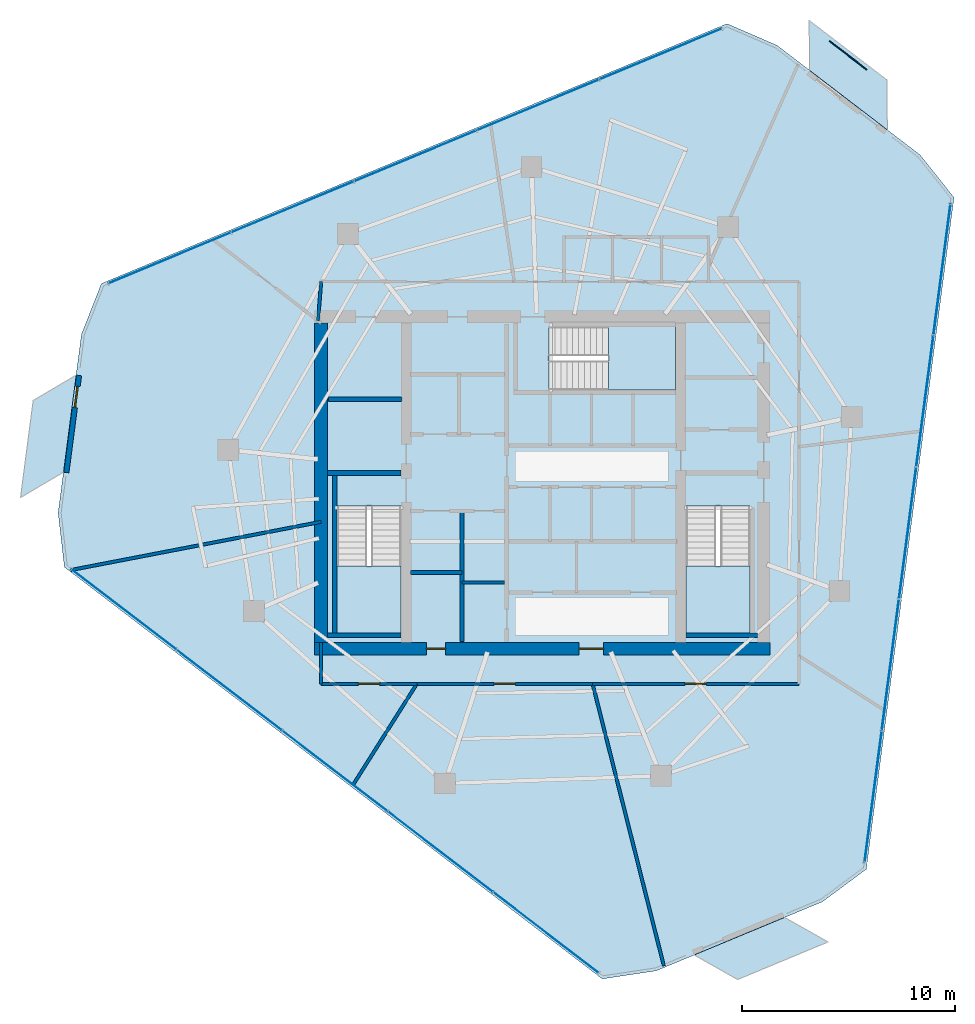
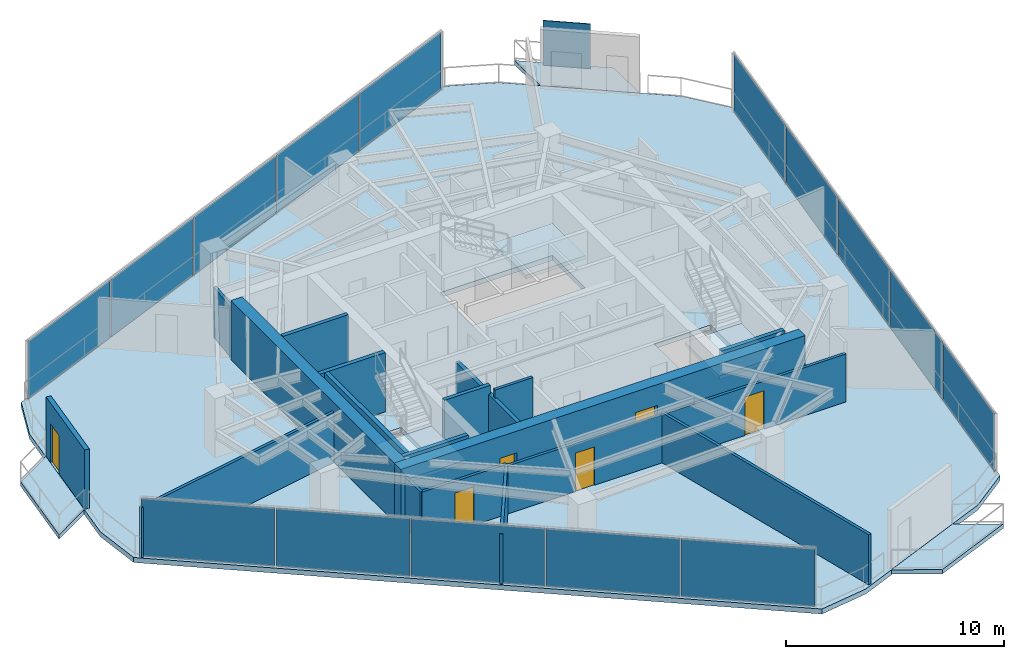
# One storey, part 15 of 20: 19 walls, 16 plates, 7 slabs, 6 doors, 6 openings, 6 elements without a shape of their own.
"""IFC4 building model written with IfcOpenShell, lengths in metres."""

from ifc_helpers import new_model, si_unit, direction, frame, frame_2d, origin, origin_2d, place, context, subcontext, project, spatial, polyline, rectangle, outline, extrude, material, layer, layer_set, type_object, element, fill, aggregate, save


model = new_model("IFC4")

# Units and contexts
model_context = context("Model", 3, precision=1e-05, world=origin(), true_north=direction((0.0, 1.0)))
body_context = subcontext(model_context, "Body", "Model", "MODEL_VIEW")
ifc_project = project(units=[si_unit("LENGTHUNIT", "METRE"), si_unit("AREAUNIT", "SQUARE_METRE"), si_unit("VOLUMEUNIT", "CUBIC_METRE"), si_unit("PLANEANGLEUNIT", "RADIAN"), si_unit("MASSUNIT", "GRAM", prefix="KILO")], contexts=[model_context])

# Site, building, storey
site_placement = place(None, origin())
site = spatial("IfcSite", under=ifc_project, at=site_placement, CompositionType="ELEMENT")
building_placement = place(site_placement, origin())
building = spatial("IfcBuilding", under=site, at=building_placement, Name="Qarnah Convention Tower", CompositionType="ELEMENT")
storey_placement = place(building_placement, frame((0.0, 0.0, 150.89990234375)))
storey = spatial("IfcBuildingStorey", under=building, at=storey_placement, Name="L40", CompositionType="ELEMENT", Elevation=150.89990234375)

# Curtain wall, plates
ifc_material_1 = material(Name="Tempered Low-E dark glass", Category="glass")
ifc_layer_1 = layer(ifc_material_1, 0.172119140625)
ifc_layer_set_1 = layer_set([ifc_layer_1], Name="Tempered Low-E dark glass")
curtain_wall_type = type_object("IfcCurtainWallType", Name="CWS-03", PredefinedType="NOTDEFINED", material=ifc_layer_set_1)
curtain_wall_1_placement = place(storey_placement, origin())
curtain_wall_1 = element("IfcCurtainWall", 1, at=curtain_wall_1_placement, inside=storey, type_object=curtain_wall_type, Name="L40 unitised curtain wall CW-L40-F1", PredefinedType="NOTDEFINED")
ifc_layer_2 = layer(ifc_material_1, 0.031982421875)
ifc_layer_set_2 = layer_set([ifc_layer_2], Name="Tempered Low-E dark glass")
plate_type_1 = type_object("IfcPlateType", Name="PNL-T3", PredefinedType="CURTAIN_PANEL", material=ifc_layer_set_2)
plate_1_placement = place(storey_placement, frame((19.68359375, 36.9619140625, 0.0400390625), z_axis=(0.0, 0.0, 1.0), x_axis=(0.923479084372, 0.383648772613, 0.0)))
plate_1 = element("IfcPlate", 2, at=plate_1_placement, type_object=plate_type_1, Name="CW-L40-F1 curtain panel 1.1", PredefinedType="CURTAIN_PANEL", context=body_context, shape_type="SweptSolid", body=[
    extrude(rectangle(XDim=6.165283203125, YDim=0.031982421875, at=origin_2d()), origin(), (0.0, 0.0, 1.0), 3.239990234375),
])
plate_2_placement = place(storey_placement, frame((25.451171875, 39.35791015625, 0.0400390625), z_axis=(0.0, 0.0, 1.0), x_axis=(0.923479084372, 0.383648772613, 0.0)))
plate_2 = element("IfcPlate", 3, at=plate_2_placement, type_object=plate_type_1, Name="CW-L40-F1 curtain panel 2.1", PredefinedType="CURTAIN_PANEL", context=body_context, shape_type="SweptSolid", body=[
    extrude(rectangle(XDim=6.165283203125, YDim=0.031982421875, at=origin_2d()), origin(), (0.0, 0.0, 1.0), 3.239990234375),
])
plate_3_placement = place(storey_placement, frame((31.218505859375, 41.75390625, 0.0400390625), z_axis=(0.0, 0.0, 1.0), x_axis=(0.923479084372, 0.383648772613, 0.0)))
plate_3 = element("IfcPlate", 4, at=plate_3_placement, type_object=plate_type_1, Name="CW-L40-F1 curtain panel 3.1", PredefinedType="CURTAIN_PANEL", context=body_context, shape_type="SweptSolid", body=[
    extrude(rectangle(XDim=6.165283203125, YDim=0.031982421875, at=origin_2d()), origin(), (0.0, 0.0, 1.0), 3.239990234375),
])
plate_4_placement = place(storey_placement, frame((36.98583984375, 44.14990234375, 0.0400390625), z_axis=(0.0, 0.0, 1.0), x_axis=(0.923479084372, 0.383648772613, 0.0)))
plate_4 = element("IfcPlate", 5, at=plate_4_placement, type_object=plate_type_1, Name="CW-L40-F1 curtain panel 4.1", PredefinedType="CURTAIN_PANEL", context=body_context, shape_type="SweptSolid", body=[
    extrude(rectangle(XDim=6.165283203125, YDim=0.031982421875, at=origin_2d()), origin(), (0.0, 0.0, 1.0), 3.239990234375),
])
plate_5_placement = place(storey_placement, frame((42.75341796875, 46.5458984375, 0.0400390625), z_axis=(0.0, 0.0, 1.0), x_axis=(0.923479084372, 0.383648772613, 0.0)))
plate_5 = element("IfcPlate", 6, at=plate_5_placement, type_object=plate_type_1, Name="CW-L40-F1 curtain panel 5.1", PredefinedType="CURTAIN_PANEL", context=body_context, shape_type="SweptSolid", body=[
    extrude(rectangle(XDim=6.165283203125, YDim=0.031982421875, at=origin_2d()), origin(), (0.0, 0.0, 1.0), 3.239990234375),
])
aggregate(curtain_wall_1, [plate_1, plate_2, plate_3, plate_4, plate_5])

curtain_wall_2_placement = place(storey_placement, origin())
curtain_wall_2 = element("IfcCurtainWall", 7, at=curtain_wall_2_placement, inside=storey, type_object=curtain_wall_type, Name="L40 unitised curtain wall CW-L40-F2", PredefinedType="NOTDEFINED")
plate_6_placement = place(storey_placement, frame((55.9716796875, 36.4248046875, 0.0400390625), z_axis=(0.0, 0.0, 1.0), x_axis=(-0.129476096574, -0.99158254342, 0.0)))
plate_6 = element("IfcPlate", 8, at=plate_6_placement, type_object=plate_type_1, Name="CW-L40-F2 curtain panel 1.1", PredefinedType="CURTAIN_PANEL", context=body_context, shape_type="SweptSolid", body=[
    extrude(rectangle(XDim=6.165283203125, YDim=0.031982421875, at=origin_2d()), origin(), (0.0, 0.0, 1.0), 3.239990234375),
])
plate_7_placement = place(storey_placement, frame((55.1630859375, 30.232177734375, 0.0400390625), z_axis=(0.0, 0.0, 1.0), x_axis=(-0.129476096574, -0.99158254342, 0.0)))
plate_7 = element("IfcPlate", 9, at=plate_7_placement, type_object=plate_type_1, Name="CW-L40-F2 curtain panel 2.1", PredefinedType="CURTAIN_PANEL", context=body_context, shape_type="SweptSolid", body=[
    extrude(rectangle(XDim=6.165283203125, YDim=0.031982421875, at=origin_2d()), origin(), (0.0, 0.0, 1.0), 3.239990234375),
])
plate_8_placement = place(storey_placement, frame((54.3544921875, 24.03955078125, 0.0400390625), z_axis=(0.0, 0.0, 1.0), x_axis=(-0.129476096574, -0.99158254342, 0.0)))
plate_8 = element("IfcPlate", 10, at=plate_8_placement, type_object=plate_type_1, Name="CW-L40-F2 curtain panel 3.1", PredefinedType="CURTAIN_PANEL", context=body_context, shape_type="SweptSolid", body=[
    extrude(rectangle(XDim=6.165283203125, YDim=0.031982421875, at=origin_2d()), origin(), (0.0, 0.0, 1.0), 3.239990234375),
])
plate_9_placement = place(storey_placement, frame((53.5458984375, 17.846923828125, 0.0400390625), z_axis=(0.0, 0.0, 1.0), x_axis=(-0.129476096574, -0.99158254342, 0.0)))
plate_9 = element("IfcPlate", 11, at=plate_9_placement, type_object=plate_type_1, Name="CW-L40-F2 curtain panel 4.1", PredefinedType="CURTAIN_PANEL", context=body_context, shape_type="SweptSolid", body=[
    extrude(rectangle(XDim=6.165283203125, YDim=0.031982421875, at=origin_2d()), origin(), (0.0, 0.0, 1.0), 3.239990234375),
])
plate_10_placement = place(storey_placement, frame((52.7373046875, 11.654296875, 0.0400390625), z_axis=(0.0, 0.0, 1.0), x_axis=(-0.129476096574, -0.99158254342, 0.0)))
plate_10 = element("IfcPlate", 12, at=plate_10_placement, type_object=plate_type_1, Name="CW-L40-F2 curtain panel 5.1", PredefinedType="CURTAIN_PANEL", context=body_context, shape_type="SweptSolid", body=[
    extrude(rectangle(XDim=6.165283203125, YDim=0.031982421875, at=origin_2d()), origin(), (0.0, 0.0, 1.0), 3.239990234375),
])
aggregate(curtain_wall_2, [plate_6, plate_7, plate_8, plate_9, plate_10])

curtain_wall_3_placement = place(storey_placement, origin())
curtain_wall_3 = element("IfcCurtainWall", 13, at=curtain_wall_3_placement, inside=storey, type_object=curtain_wall_type, Name="L40 unitised curtain wall CW-L40-F3", PredefinedType="NOTDEFINED")
plate_11_placement = place(storey_placement, frame((37.36279296875, 5.267333984375, 0.0400390625), z_axis=(0.0, 0.0, 1.0), x_axis=(-0.793992266072, 0.607927858728, 0.0)))
plate_11 = element("IfcPlate", 14, at=plate_11_placement, type_object=plate_type_1, Name="CW-L40-F3 curtain panel 1.1", PredefinedType="CURTAIN_PANEL", context=body_context, shape_type="SweptSolid", body=[
    extrude(rectangle(XDim=6.1650390625, YDim=0.031982421875, at=origin_2d()), origin(), (0.0, 0.0, 1.0), 3.239990234375),
])
plate_12_placement = place(storey_placement, frame((32.404052734375, 9.06396484375, 0.0400390625), z_axis=(0.0, 0.0, 1.0), x_axis=(-0.793992266072, 0.607927858728, 0.0)))
plate_12 = element("IfcPlate", 15, at=plate_12_placement, type_object=plate_type_1, Name="CW-L40-F3 curtain panel 2.1", PredefinedType="CURTAIN_PANEL", context=body_context, shape_type="SweptSolid", body=[
    extrude(rectangle(XDim=6.1650390625, YDim=0.031982421875, at=origin_2d()), origin(), (0.0, 0.0, 1.0), 3.239990234375),
])
plate_13_placement = place(storey_placement, frame((27.445556640625, 12.860595703125, 0.0400390625), z_axis=(0.0, 0.0, 1.0), x_axis=(-0.793992266072, 0.607927858728, 0.0)))
plate_13 = element("IfcPlate", 16, at=plate_13_placement, type_object=plate_type_1, Name="CW-L40-F3 curtain panel 3.1", PredefinedType="CURTAIN_PANEL", context=body_context, shape_type="SweptSolid", body=[
    extrude(rectangle(XDim=6.1650390625, YDim=0.031982421875, at=origin_2d()), origin(), (0.0, 0.0, 1.0), 3.239990234375),
])
plate_14_placement = place(storey_placement, frame((22.48681640625, 16.656982421875, 0.0400390625), z_axis=(0.0, 0.0, 1.0), x_axis=(-0.793992266072, 0.607927858728, 0.0)))
plate_14 = element("IfcPlate", 17, at=plate_14_placement, type_object=plate_type_1, Name="CW-L40-F3 curtain panel 4.1", PredefinedType="CURTAIN_PANEL", context=body_context, shape_type="SweptSolid", body=[
    extrude(rectangle(XDim=6.1650390625, YDim=0.031982421875, at=origin_2d()), origin(), (0.0, 0.0, 1.0), 3.239990234375),
])
plate_15_placement = place(storey_placement, frame((17.5283203125, 20.45361328125, 0.0400390625), z_axis=(0.0, 0.0, 1.0), x_axis=(-0.793992266072, 0.607927858728, 0.0)))
plate_15 = element("IfcPlate", 18, at=plate_15_placement, type_object=plate_type_1, Name="CW-L40-F3 curtain panel 5.1", PredefinedType="CURTAIN_PANEL", context=body_context, shape_type="SweptSolid", body=[
    extrude(rectangle(XDim=6.1650390625, YDim=0.031982421875, at=origin_2d()), origin(), (0.0, 0.0, 1.0), 3.239990234375),
])
aggregate(curtain_wall_3, [plate_11, plate_12, plate_13, plate_14, plate_15])

# Plate
ifc_material_2 = material(Name="Black anodised aluminium", Category="aluminium")
ifc_layer_3 = layer(ifc_material_2, 0.044921875)
ifc_layer_set_3 = layer_set([ifc_layer_3], Name="Black anodised aluminium")
plate_type_2 = type_object("IfcPlateType", Name="SCR-BAL-18", PredefinedType="USERDEFINED", material=ifc_layer_set_3)
plate_16_placement = place(storey_placement, frame((51.554931640625, 46.48291015625, 0.0), z_axis=(0.0, 0.0, 1.0), x_axis=(0.794092247201, -0.607797254794, 0.0)))
element("IfcPlate", 19, at=plate_16_placement, inside=storey, type_object=plate_type_2, Name="L40 perforated desert solar screen BAL-L40-C1", ObjectType="SCREEN", PredefinedType="USERDEFINED", context=body_context, shape_type="SweptSolid", body=[
    extrude(rectangle(XDim=2.199951171875, YDim=0.044921875, at=origin_2d()), origin(), (0.0, 0.0, 1.0), 2.5),
])

# Slabs
ifc_material_3 = material(Name="Concrete C45/55", Category="concrete")
ifc_layer_4 = layer(ifc_material_3, 0.239990234375)
ifc_layer_set_4 = layer_set([ifc_layer_4], Name="Concrete C45/55")
slab_type_1 = type_object("IfcSlabType", Name="SLB-BAL-240", PredefinedType="USERDEFINED", material=ifc_layer_set_4)
slab_1_placement = place(storey_placement, frame((0.0, 0.0, -0.239990234375)))
element("IfcSlab", 20, at=slab_1_placement, inside=storey, type_object=slab_type_1, Name="L40 cantilevered balcony slab BAL-L40-C1", ObjectType="BALCONY", PredefinedType="USERDEFINED", context=body_context, shape_type="SweptSolid", body=[
    extrude(outline(polyline([(49.72607421875, 48.12109375), (53.37890625, 45.324951171875), (53.402099609375, 42.97900390625), (49.7490234375, 45.77587890625), (49.72607421875, 48.12109375)])), origin(), (0.0, 0.0, 1.0), 0.239990234375),
])
slab_2_placement = place(storey_placement, frame((0.0, 0.0, -0.239990234375)))
element("IfcSlab", 21, at=slab_2_placement, inside=storey, type_object=slab_type_1, Name="L40 cantilevered balcony slab BAL-L40-C2", ObjectType="BALCONY", PredefinedType="USERDEFINED", context=body_context, shape_type="SweptSolid", body=[
    extrude(outline(polyline([(12.677001953125, 25.705078125), (13.27294921875, 30.26611328125), (15.29296875, 31.458984375), (14.697998046875, 26.89892578125), (12.677001953125, 25.705078125)])), origin(), (0.0, 0.0, 1.0), 0.239990234375),
])
slab_3_placement = place(storey_placement, frame((0.0, 0.0, -0.239990234375)))
element("IfcSlab", 22, at=slab_3_placement, inside=storey, type_object=slab_type_1, Name="L40 cantilevered balcony slab BAL-L40-C3", ObjectType="BALCONY", PredefinedType="USERDEFINED", context=body_context, shape_type="SweptSolid", body=[
    extrude(outline(polyline([(50.614990234375, 4.827880859375), (46.366943359375, 3.06298828125), (44.323974609375, 4.216064453125), (48.572998046875, 5.98095703125), (50.614990234375, 4.827880859375)])), origin(), (0.0, 0.0, 1.0), 0.239990234375),
])

# Stair, slab
ifc_material_4 = material(Name="Concrete C50/60", Category="concrete")
stair_type = type_object("IfcStairType", Name="STR-OFF", PredefinedType="HALF_TURN_STAIR", material=ifc_material_4)
stair_1_placement = place(storey_placement, origin())
stair_1 = element("IfcStair", 23, at=stair_1_placement, inside=storey, type_object=stair_type, Name="L40 Core exit stair ST-1", PredefinedType="HALF_TURN_STAIR")
ifc_layer_5 = layer(ifc_material_4, 0.199951171875)
ifc_layer_set_5 = layer_set([ifc_layer_5], Name="Concrete C50/60")
slab_type_2 = type_object("IfcSlabType", Name="SLB-LANDING-200", PredefinedType="LANDING", material=ifc_layer_set_5)
slab_4_placement = place(storey_placement, frame((0.0, 0.0, 1.60009765625)))
slab_4 = element("IfcSlab", 24, at=slab_4_placement, type_object=slab_type_2, Name="ST-1 landing 1", PredefinedType="LANDING", context=body_context, shape_type="SweptSolid", body=[
    extrude(outline(polyline([(27.550048828125, 22.5), (27.550048828125, 19.35009765625), (30.550048828125, 19.35009765625), (30.550048828125, 22.5), (27.550048828125, 22.5)])), origin(), (0.0, 0.0, 1.0), 0.199951171875),
])
aggregate(stair_1, [slab_4])

stair_2_placement = place(storey_placement, origin())
stair_2 = element("IfcStair", 25, at=stair_2_placement, inside=storey, type_object=stair_type, Name="L40 Core exit stair ST-2", PredefinedType="HALF_TURN_STAIR")
slab_5_placement = place(storey_placement, frame((0.0, 0.0, 1.60009765625)))
slab_5 = element("IfcSlab", 26, at=slab_5_placement, type_object=slab_type_2, Name="ST-2 landing 1", PredefinedType="LANDING", context=body_context, shape_type="SweptSolid", body=[
    extrude(outline(polyline([(43.949951171875, 22.5), (43.949951171875, 19.35009765625), (46.949951171875, 19.35009765625), (46.949951171875, 22.5), (43.949951171875, 22.5)])), origin(), (0.0, 0.0, 1.0), 0.199951171875),
])
aggregate(stair_2, [slab_5])

stair_3_placement = place(storey_placement, origin())
stair_3 = element("IfcStair", 27, at=stair_3_placement, inside=storey, type_object=stair_type, Name="L40 Core exit stair ST-3", PredefinedType="HALF_TURN_STAIR")
slab_6_placement = place(storey_placement, frame((0.0, 0.0, 1.60009765625)))
slab_6 = element("IfcSlab", 28, at=slab_6_placement, type_object=slab_type_2, Name="ST-3 landing 1", PredefinedType="LANDING", context=body_context, shape_type="SweptSolid", body=[
    extrude(outline(polyline([(40.300048828125, 30.75), (43.449951171875, 30.75), (43.449951171875, 33.75), (40.300048828125, 33.75), (40.300048828125, 30.75)])), origin(), (0.0, 0.0, 1.0), 0.199951171875),
])
aggregate(stair_3, [slab_6])

# Slab
ifc_layer_6 = layer(ifc_material_3, 0.280029296875)
ifc_layer_set_6 = layer_set([ifc_layer_6], Name="Concrete C45/55")
slab_type_3 = type_object("IfcSlabType", Name="SLB-TWR-280", PredefinedType="FLOOR", material=ifc_layer_set_6)
slab_7_placement = place(storey_placement, frame((0.0, 0.0, -0.27978515625)))
element("IfcSlab", 29, at=slab_7_placement, inside=storey, type_object=slab_type_3, Name="L40 structural floor slab", PredefinedType="FLOOR", context=body_context, shape_type="SweptSolid", body=[
    extrude(outline(polyline([(45.867919921875, 47.969970703125), (16.47705078125, 35.760009765625), (15.5390625, 33.37109375), (14.445068359375, 24.989013671875), (14.738037109375, 22.43896484375), (40.007080078125, 3.091064453125), (42.544921875, 3.472900390625), (50.35205078125, 6.716064453125), (52.4130859375, 8.2451171875), (56.533935546875, 39.802978515625), (54.93505859375, 41.81005859375), (48.222900390625, 46.948974609375), (45.867919921875, 47.969970703125)]), holes=[polyline([(27.550048828125, 25.300048828125), (27.550048828125, 19.35009765625), (30.550048828125, 19.35009765625), (30.550048828125, 25.300048828125), (27.550048828125, 25.300048828125)]), polyline([(43.949951171875, 25.300048828125), (43.949951171875, 19.35009765625), (46.949951171875, 19.35009765625), (46.949951171875, 25.300048828125), (43.949951171875, 25.300048828125)]), polyline([(37.5, 30.75), (43.449951171875, 30.75), (43.449951171875, 33.75), (37.5, 33.75), (37.5, 30.75)])]), origin(), (0.0, 0.0, 1.0), 0.27978515625),
])

# Wall, openings, doors
ifc_material_5 = material(Name="Concrete C60/75", Category="concrete")
ifc_layer_7 = layer(ifc_material_5, 0.60009765625)
ifc_layer_set_7 = layer_set([ifc_layer_7], Name="Concrete C60/75")
wall_type_1 = type_object("IfcWallType", Name="WL-CORE-600", PredefinedType="SHEAR", material=ifc_layer_set_7)
wall_1_placement = place(storey_placement, frame((26.5, 18.60009765625, 0.0), z_axis=(0.0, 0.0, 1.0), x_axis=(1.0, 0.0, 0.0)))
wall_1 = element("IfcWall", 30, at=wall_1_placement, inside=storey, type_object=wall_type_1, Name="L40 core south shear wall", PredefinedType="SHEAR", context=body_context, shape_type="SweptSolid", body=[
    extrude(rectangle(XDim=21.39990234375, YDim=0.60009765625, at=frame_2d((10.699951171875, 0.0))), origin(), (0.0, 0.0, 1.0), 3.320068359375),
])
opening_1_placement = place(wall_1_placement, frame((12.425048828125, 0.0, 0.0)))
opening_1 = element("IfcOpeningElement", 31, at=opening_1_placement, cuts=wall_1, Name="Opening D-4007", PredefinedType="OPENING", context=body_context, shape_type="SweptSolid", body=[
    extrude(rectangle(XDim=1.14990234375, YDim=2.14990234375, at=frame_2d((0.574951171875, 1.074951171875))), frame((0.0, 0.31005859375, 0.0), z_axis=(0.0, -1.0, 0.0), x_axis=(1.0, 0.0, 0.0)), (0.0, 0.0, 1.0), 0.6201171875),
])
opening_2_placement = place(wall_1_placement, frame((5.25, 0.0, 0.0)))
opening_2 = element("IfcOpeningElement", 32, at=opening_2_placement, cuts=wall_1, Name="Opening D-4013", PredefinedType="OPENING", context=body_context, shape_type="SweptSolid", body=[
    extrude(rectangle(XDim=0.89990234375, YDim=2.10009765625, at=frame_2d((0.449951171875, 1.050048828125))), frame((0.0, 0.31005859375, 0.0), z_axis=(0.0, -1.0, 0.0), x_axis=(1.0, 0.0, 0.0)), (0.0, 0.0, 1.0), 0.6201171875),
])
ifc_material_6 = material(Name="Structural steel S355JR", Category="steel")
door_type_1 = type_object("IfcDoorType", Name="DT-LOBBY-1150", OperationType="NOTDEFINED", PredefinedType="DOOR", material=ifc_material_6)
door_1_placement = place(opening_1_placement, origin())
door_1 = element("IfcDoor", 33, at=door_1_placement, inside=storey, type_object=door_type_1, Name="Door D-4007", OperationType="SINGLE_SWING_RIGHT", OverallHeight=2.14990234375, OverallWidth=1.14990234375, PredefinedType="DOOR", context=body_context, shape_type="SweptSolid", body=[
    extrude(rectangle(XDim=1.14990234375, YDim=2.14990234375, at=frame_2d((0.574951171875, 1.074951171875))), frame((0.0, 0.02490234375, 0.0), z_axis=(0.0, -1.0, 0.0), x_axis=(1.0, 0.0, 0.0)), (0.0, 0.0, 1.0), 0.050048828125),
])
fill(opening_1, door_1)
door_type_2 = type_object("IfcDoorType", Name="DT-RISER-900", OperationType="NOTDEFINED", PredefinedType="DOOR", material=ifc_material_6)
door_2_placement = place(opening_2_placement, origin())
door_2 = element("IfcDoor", 34, at=door_2_placement, inside=storey, type_object=door_type_2, Name="Door D-4013", OperationType="SINGLE_SWING_RIGHT", OverallHeight=2.10009765625, OverallWidth=0.89990234375, PredefinedType="DOOR", context=body_context, shape_type="SweptSolid", body=[
    extrude(rectangle(XDim=0.89990234375, YDim=2.10009765625, at=frame_2d((0.449951171875, 1.050048828125))), frame((0.0, 0.02490234375, 0.0), z_axis=(0.0, -1.0, 0.0), x_axis=(1.0, 0.0, 0.0)), (0.0, 0.0, 1.0), 0.050048828125),
])
fill(opening_2, door_2)

# Walls
wall_2_placement = place(storey_placement, frame((26.800048828125, 18.89990234375, 0.0), z_axis=(0.0, 0.0, 1.0), x_axis=(0.0, 1.0, 0.0)))
element("IfcWall", 35, at=wall_2_placement, inside=storey, type_object=wall_type_1, Name="L40 core west shear wall", PredefinedType="SHEAR", context=body_context, shape_type="SweptSolid", body=[
    extrude(rectangle(XDim=15.0, YDim=0.60009765625, at=frame_2d((7.5, 0.0))), origin(), (0.0, 0.0, 1.0), 3.320068359375),
])
ifc_layer_8 = layer(ifc_material_3, 0.199951171875)
ifc_layer_set_8 = layer_set([ifc_layer_8], Name="Concrete C45/55")
wall_type_2 = type_object("IfcWallType", Name="WL-CORE-PART-200", PredefinedType="SOLIDWALL", material=ifc_layer_set_8)
wall_3_placement = place(storey_placement, frame((27.14990234375, 30.320068359375, 0.0), z_axis=(0.0, 0.0, 1.0), x_axis=(1.0, 0.0, 0.0)))
element("IfcWall", 36, at=wall_3_placement, inside=storey, type_object=wall_type_2, Name="L40 interior wall IW-L40-ELRN", PredefinedType="SOLIDWALL", context=body_context, shape_type="SweptSolid", body=[
    extrude(rectangle(XDim=3.4501953125, YDim=0.199951171875, at=frame_2d((1.72509765625, 0.0))), origin(), (0.0, 0.0, 1.0), 3.320068359375),
])
wall_4_placement = place(storey_placement, frame((33.419921875, 18.949951171875, 0.0), z_axis=(0.0, 0.0, 1.0), x_axis=(0.0, 1.0, 0.0)))
element("IfcWall", 37, at=wall_4_placement, inside=storey, type_object=wall_type_2, Name="L40 interior wall IW-L40-SVLE", PredefinedType="SOLIDWALL", context=body_context, shape_type="SweptSolid", body=[
    extrude(rectangle(XDim=6.130126953125, YDim=0.199951171875, at=frame_2d((3.06494140625, 0.0))), origin(), (0.0, 0.0, 1.0), 2.841064453125),
])
wall_5_placement = place(storey_placement, frame((31.0, 22.179931640625, 0.0), z_axis=(0.0, 0.0, 1.0), x_axis=(1.0, 0.0, 0.0)))
element("IfcWall", 38, at=wall_5_placement, inside=storey, type_object=wall_type_2, Name="L40 interior wall IW-L40-SVLS", PredefinedType="SOLIDWALL", context=body_context, shape_type="SweptSolid", body=[
    extrude(rectangle(XDim=2.419921875, YDim=0.199951171875, at=frame_2d((1.2099609375, 0.0))), origin(), (0.0, 0.0, 1.0), 3.320068359375),
])
ifc_layer_9 = layer(ifc_material_5, 0.219970703125)
ifc_layer_set_9 = layer_set([ifc_layer_9], Name="Concrete C60/75")
wall_type_3 = type_object("IfcWallType", Name="WL-CORE-STAIR-220", PredefinedType="SHEAR", material=ifc_layer_set_9)
wall_6_placement = place(storey_placement, frame((27.10009765625, 26.860107421875, 0.0), z_axis=(0.0, 0.0, 1.0), x_axis=(1.0, 0.0, 0.0)))
element("IfcWall", 39, at=wall_6_placement, inside=storey, type_object=wall_type_3, Name="L40 stair shaft shear wall SW-L40-ST1N", PredefinedType="SHEAR", context=body_context, shape_type="SweptSolid", body=[
    extrude(rectangle(XDim=3.449951171875, YDim=0.219970703125, at=frame_2d((1.72509765625, 0.0))), origin(), (0.0, 0.0, 1.0), 3.320068359375),
])
wall_7_placement = place(storey_placement, frame((27.43994140625, 19.35009765625, 0.0), z_axis=(0.0, 0.0, 1.0), x_axis=(0.0, 1.0, 0.0)))
element("IfcWall", 40, at=wall_7_placement, inside=storey, type_object=wall_type_3, Name="L40 stair shaft shear wall SW-L40-ST1W", PredefinedType="SHEAR", context=body_context, shape_type="SweptSolid", body=[
    extrude(rectangle(XDim=7.39990234375, YDim=0.219970703125, at=frame_2d((3.699951171875, 0.0))), origin(), (0.0, 0.0, 1.0), 3.320068359375),
])
wall_8_placement = place(storey_placement, frame((27.10009765625, 19.239990234375, 0.0), z_axis=(0.0, 0.0, 1.0), x_axis=(1.0, 0.0, 0.0)))
element("IfcWall", 41, at=wall_8_placement, inside=storey, type_object=wall_type_3, Name="L40 stair shaft shear wall SW-L40-ST1S", PredefinedType="SHEAR", context=body_context, shape_type="SweptSolid", body=[
    extrude(rectangle(XDim=3.449951171875, YDim=0.219970703125, at=frame_2d((1.72509765625, 0.0))), origin(), (0.0, 0.0, 1.0), 3.320068359375),
])
wall_9_placement = place(storey_placement, frame((43.949951171875, 19.239990234375, 0.0), z_axis=(0.0, 0.0, 1.0), x_axis=(1.0, 0.0, 0.0)))
element("IfcWall", 42, at=wall_9_placement, inside=storey, type_object=wall_type_3, Name="L40 stair shaft shear wall SW-L40-ST2S", PredefinedType="SHEAR", context=body_context, shape_type="SweptSolid", body=[
    extrude(rectangle(XDim=3.35009765625, YDim=0.219970703125, at=frame_2d((1.675048828125, 0.0))), origin(), (0.0, 0.0, 1.0), 3.320068359375),
])

# Wall, opening, door
ifc_material_7 = material(Name="Precast concrete C45/55", Category="concrete")
ifc_layer_10 = layer(ifc_material_7, 0.239990234375)
ifc_layer_set_10 = layer_set([ifc_layer_10], Name="Precast concrete C45/55")
wall_type_4 = type_object("IfcWallType", Name="WL-EXT-BAL-240", PredefinedType="SOLIDWALL", material=ifc_layer_set_10)
wall_10_placement = place(storey_placement, frame((14.8330078125, 26.881103515625, 0.0), z_axis=(0.0, 0.0, 1.0), x_axis=(0.129357337994, 0.991598043114, 0.0)))
wall_10 = element("IfcWall", 43, at=wall_10_placement, inside=storey, type_object=wall_type_4, Name="L40 loggia threshold wall BAL-L40-C2", PredefinedType="SOLIDWALL", context=body_context, shape_type="SweptSolid", body=[
    extrude(rectangle(XDim=4.599365234375, YDim=0.239990234375, at=frame_2d((2.2998046875, 0.0))), origin(), (0.0, 0.0, 1.0), 3.320068359375),
])
opening_3_placement = place(wall_10_placement, frame((3.080078125, 0.0, 0.0)))
opening_3 = element("IfcOpeningElement", 44, at=opening_3_placement, cuts=wall_10, Name="Opening BD-4002", PredefinedType="OPENING", context=body_context, shape_type="SweptSolid", body=[
    extrude(rectangle(XDim=1.0, YDim=2.14990234375, at=frame_2d((0.5, 1.074951171875))), frame((0.0, 0.1298828125, 0.0), z_axis=(0.0, -1.0, 0.0), x_axis=(1.0, 0.0, 0.0)), (0.0, 0.0, 1.0), 0.260009765625),
])
door_type_3 = type_object("IfcDoorType", Name="DT-BAL-1000", OperationType="NOTDEFINED", PredefinedType="DOOR", material=ifc_material_2)
door_3_placement = place(opening_3_placement, origin())
door_3 = element("IfcDoor", 45, at=door_3_placement, inside=storey, type_object=door_type_3, Name="L40 balcony terrace door BAL-L40-C2", OperationType="SINGLE_SWING_RIGHT", OverallHeight=2.14990234375, OverallWidth=1.0, PredefinedType="DOOR", context=body_context, shape_type="SweptSolid", body=[
    extrude(rectangle(XDim=1.0, YDim=2.14990234375, at=frame_2d((0.5, 1.074951171875))), frame((0.0, 0.02490234375, 0.0), z_axis=(0.0, -1.0, 0.0), x_axis=(1.0, 0.0, 0.0)), (0.0, 0.0, 1.0), 0.050048828125),
])
fill(opening_3, door_3)

# Walls
ifc_material_8 = material(Name="Gypsum partition board")
ifc_layer_11 = layer(ifc_material_8, 0.14990234375)
ifc_layer_set_11 = layer_set([ifc_layer_11], Name="Gypsum partition board")
wall_type_5 = type_object("IfcWallType", Name="WL-SUITE-150", PredefinedType="PARTITIONING", material=ifc_layer_set_11)
wall_11_placement = place(storey_placement, frame((33.419921875, 21.719970703125, 0.0), z_axis=(0.0, 0.0, 1.0), x_axis=(1.0, 0.0, 0.0)))
element("IfcWall", 46, at=wall_11_placement, inside=storey, type_object=wall_type_5, Name="L40 interior wall IW-L40-CSV1", PredefinedType="PARTITIONING", context=body_context, shape_type="SweptSolid", body=[
    extrude(rectangle(XDim=2.0, YDim=0.14990234375, at=frame_2d((1.0, 0.0))), origin(), (0.0, 0.0, 1.0), 3.320068359375),
])
wall_12_placement = place(storey_placement, frame((26.655029296875, 34.011962890625, 0.0), z_axis=(0.0, 0.0, 1.0), x_axis=(0.078650542613, 0.99690224804, 0.0)))
element("IfcWall", 47, at=wall_12_placement, inside=storey, type_object=wall_type_5, Name="L40 interior wall IW-L40-R-20", PredefinedType="PARTITIONING", context=body_context, shape_type="SweptSolid", body=[
    extrude(rectangle(XDim=1.84375, YDim=0.14990234375, at=frame_2d((0.921875, 0.0))), origin(), (0.0, 0.0, 1.0), 2.80517578125),
])
wall_13_placement = place(storey_placement, frame((15.02099609375, 22.297119140625, 0.0), z_axis=(0.0, 0.0, 1.0), x_axis=(0.981950805011, 0.189136502393, 0.0)))
element("IfcWall", 48, at=wall_13_placement, inside=storey, type_object=wall_type_5, Name="L40 interior wall IW-L40-R-22", PredefinedType="PARTITIONING", context=body_context, shape_type="SweptSolid", body=[
    extrude(rectangle(XDim=11.99560546875, YDim=0.14990234375, at=frame_2d((5.997802734375, 0.0))), origin(), (0.0, 0.0, 1.0), 2.80517578125),
])
wall_14_placement = place(storey_placement, frame((28.278076171875, 12.172119140625, 0.0), z_axis=(0.0, 0.0, 1.0), x_axis=(0.533900329904, 0.845547418971, 0.0)))
element("IfcWall", 49, at=wall_14_placement, inside=storey, type_object=wall_type_5, Name="L40 interior wall IW-L40-R-23", PredefinedType="PARTITIONING", context=body_context, shape_type="SweptSolid", body=[
    extrude(rectangle(XDim=5.650634765625, YDim=0.14990234375, at=frame_2d((2.8251953125, 0.0))), origin(), (0.0, 0.0, 1.0), 2.80517578125),
])

# Wall, opening, door
wall_15_placement = place(storey_placement, frame((31.294921875, 16.949951171875, 0.0), z_axis=(0.0, 0.0, 1.0), x_axis=(-1.0, 0.0, 0.0)))
wall_15 = element("IfcWall", 50, at=wall_15_placement, inside=storey, type_object=wall_type_5, Name="L40 interior wall IW-L40-R-24", PredefinedType="PARTITIONING", context=body_context, shape_type="SweptSolid", body=[
    extrude(rectangle(XDim=4.494873046875, YDim=0.14990234375, at=frame_2d((2.24755859375, 0.0))), origin(), (0.0, 0.0, 1.0), 2.80517578125),
])
opening_4_placement = place(wall_15_placement, frame((1.748046875, 0.0, 0.0)))
opening_4 = element("IfcOpeningElement", 51, at=opening_4_placement, cuts=wall_15, Name="Opening D-4025", PredefinedType="OPENING", context=body_context, shape_type="SweptSolid", body=[
    extrude(rectangle(XDim=1.0, YDim=2.14990234375, at=frame_2d((0.5, 1.074951171875))), frame((0.0, 0.0849609375, 0.0), z_axis=(0.0, -1.0, 0.0), x_axis=(1.0, 0.0, 0.0)), (0.0, 0.0, 1.0), 0.169921875),
])
ifc_material_9 = material(Name="Oak timber veneer", Category="wood")
door_type_4 = type_object("IfcDoorType", Name="DT-OFFICE-1000", OperationType="NOTDEFINED", PredefinedType="DOOR", material=ifc_material_9)
door_4_placement = place(opening_4_placement, origin())
door_4 = element("IfcDoor", 52, at=door_4_placement, inside=storey, type_object=door_type_4, Name="Door D-4025", OperationType="SINGLE_SWING_RIGHT", OverallHeight=2.14990234375, OverallWidth=1.0, PredefinedType="DOOR", context=body_context, shape_type="SweptSolid", body=[
    extrude(rectangle(XDim=1.0, YDim=2.14990234375, at=frame_2d((0.5, 1.074951171875))), frame((0.0, 0.02490234375, 0.0), z_axis=(0.0, -1.0, 0.0), x_axis=(1.0, 0.0, 0.0)), (0.0, 0.0, 1.0), 0.050048828125),
])
fill(opening_4, door_4)

# Walls
wall_16_placement = place(storey_placement, frame((26.800048828125, 16.949951171875, 0.0), z_axis=(0.0, 0.0, 1.0), x_axis=(0.0, 1.0, 0.0)))
element("IfcWall", 53, at=wall_16_placement, inside=storey, type_object=wall_type_5, Name="L40 interior wall IW-L40-R-25", PredefinedType="PARTITIONING", context=body_context, shape_type="SweptSolid", body=[
    extrude(rectangle(XDim=1.949951171875, YDim=0.14990234375, at=frame_2d((0.97509765625, 0.0))), origin(), (0.0, 0.0, 1.0), 2.80517578125),
])
wall_17_placement = place(storey_placement, frame((42.90087890625, 3.70703125, 0.0), z_axis=(0.0, 0.0, 1.0), x_axis=(-0.244894301088, 0.969549782783, 0.0)))
element("IfcWall", 54, at=wall_17_placement, inside=storey, type_object=wall_type_5, Name="L40 interior wall IW-L40-R-26", PredefinedType="PARTITIONING", context=body_context, shape_type="SweptSolid", body=[
    extrude(rectangle(XDim=13.658935546875, YDim=0.14990234375, at=frame_2d((6.82958984375, 0.0))), origin(), (0.0, 0.0, 1.0), 2.80517578125),
])

# Wall, opening, door
wall_18_placement = place(storey_placement, frame((39.555908203125, 16.949951171875, 0.0), z_axis=(0.0, 0.0, 1.0), x_axis=(-1.0, 0.0, 0.0)))
wall_18 = element("IfcWall", 55, at=wall_18_placement, inside=storey, type_object=wall_type_5, Name="L40 interior wall IW-L40-R-27", PredefinedType="PARTITIONING", context=body_context, shape_type="SweptSolid", body=[
    extrude(rectangle(XDim=8.260986328125, YDim=0.14990234375, at=frame_2d((4.13037109375, 0.0))), origin(), (0.0, 0.0, 1.0), 2.68701171875),
])
opening_5_placement = place(wall_18_placement, frame((3.6298828125, 0.0, 0.0)))
opening_5 = element("IfcOpeningElement", 56, at=opening_5_placement, cuts=wall_18, Name="Opening D-4026", PredefinedType="OPENING", context=body_context, shape_type="SweptSolid", body=[
    extrude(rectangle(XDim=1.0, YDim=2.14990234375, at=frame_2d((0.5, 1.074951171875))), frame((0.0, 0.0849609375, 0.0), z_axis=(0.0, -1.0, 0.0), x_axis=(1.0, 0.0, 0.0)), (0.0, 0.0, 1.0), 0.169921875),
])
door_5_placement = place(opening_5_placement, origin())
door_5 = element("IfcDoor", 57, at=door_5_placement, inside=storey, type_object=door_type_4, Name="Door D-4026", OperationType="SINGLE_SWING_LEFT", OverallHeight=2.14990234375, OverallWidth=1.0, PredefinedType="DOOR", context=body_context, shape_type="SweptSolid", body=[
    extrude(rectangle(XDim=1.0, YDim=2.14990234375, at=frame_2d((0.5, 1.074951171875))), frame((0.0, 0.02490234375, 0.0), z_axis=(0.0, -1.0, 0.0), x_axis=(1.0, 0.0, 0.0)), (0.0, 0.0, 1.0), 0.050048828125),
])
fill(opening_5, door_5)

wall_19_placement = place(storey_placement, frame((49.25, 16.949951171875, 0.0), z_axis=(0.0, 0.0, 1.0), x_axis=(-1.0, 0.0, 0.0)))
wall_19 = element("IfcWall", 58, at=wall_19_placement, inside=storey, type_object=wall_type_5, Name="L40 interior wall IW-L40-R-30", PredefinedType="PARTITIONING", context=body_context, shape_type="SweptSolid", body=[
    extrude(rectangle(XDim=9.694091796875, YDim=0.14990234375, at=frame_2d((4.84716796875, 0.0))), origin(), (0.0, 0.0, 1.0), 2.68701171875),
])
opening_6_placement = place(wall_19_placement, frame((4.346923828125, 0.0, 0.0)))
opening_6 = element("IfcOpeningElement", 59, at=opening_6_placement, cuts=wall_19, Name="Opening D-4027", PredefinedType="OPENING", context=body_context, shape_type="SweptSolid", body=[
    extrude(rectangle(XDim=1.0, YDim=2.14990234375, at=frame_2d((0.5, 1.074951171875))), frame((0.0, 0.0849609375, 0.0), z_axis=(0.0, -1.0, 0.0), x_axis=(1.0, 0.0, 0.0)), (0.0, 0.0, 1.0), 0.169921875),
])
door_6_placement = place(opening_6_placement, origin())
door_6 = element("IfcDoor", 60, at=door_6_placement, inside=storey, type_object=door_type_4, Name="Door D-4027", OperationType="SINGLE_SWING_RIGHT", OverallHeight=2.14990234375, OverallWidth=1.0, PredefinedType="DOOR", context=body_context, shape_type="SweptSolid", body=[
    extrude(rectangle(XDim=1.0, YDim=2.14990234375, at=frame_2d((0.5, 1.074951171875))), frame((0.0, 0.02490234375, 0.0), z_axis=(0.0, -1.0, 0.0), x_axis=(1.0, 0.0, 0.0)), (0.0, 0.0, 1.0), 0.050048828125),
])
fill(opening_6, door_6)

save(model, "model.ifc")
